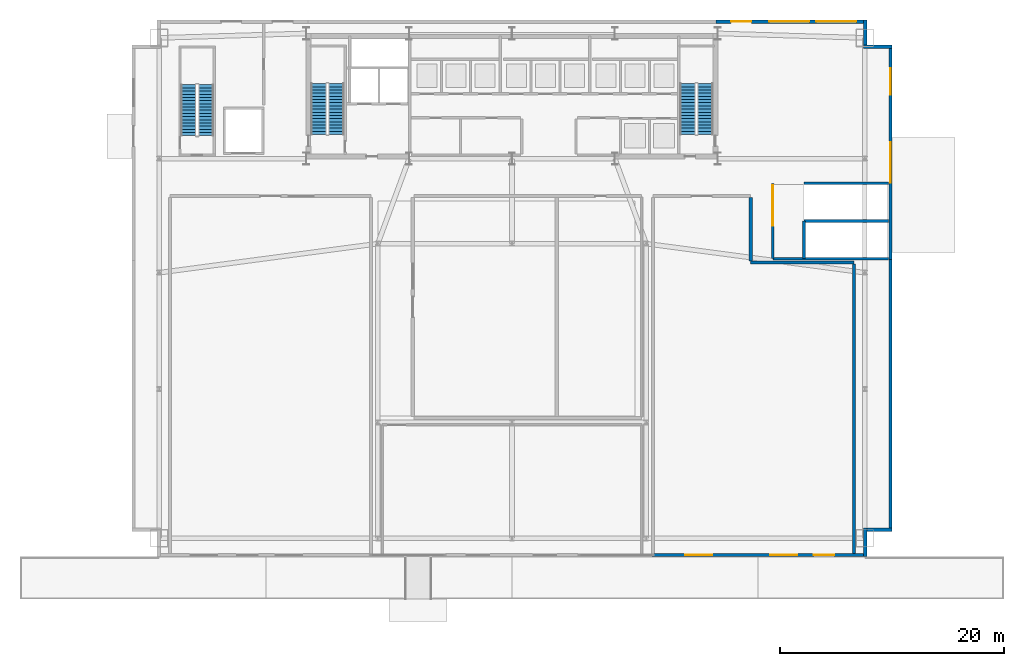
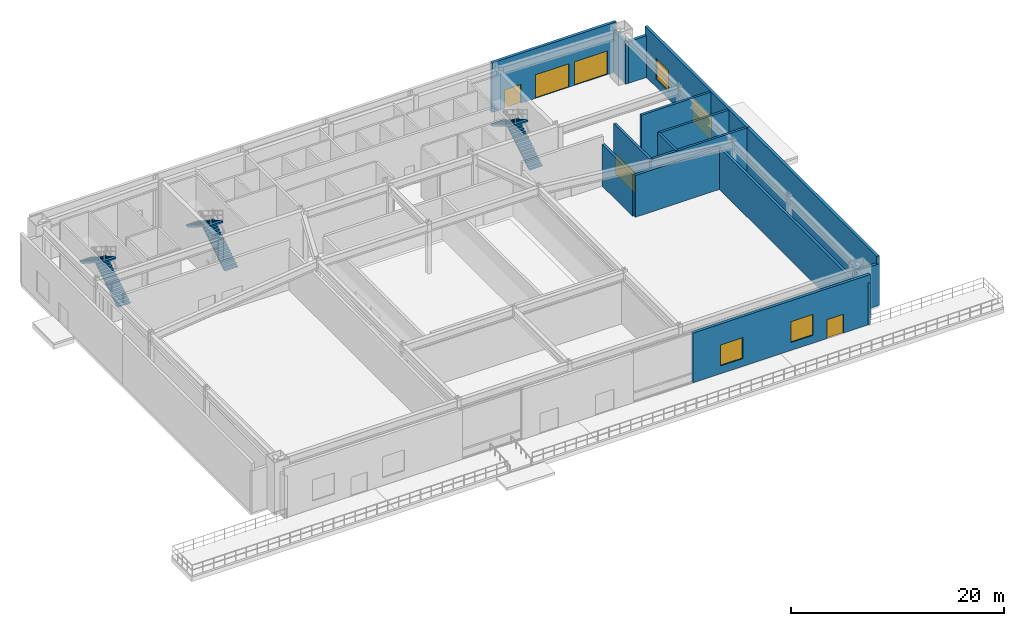
# One storey, part 12 of 17: 16 walls, 6 doors, 6 stair flights, 3 windows, 9 openings, 3 elements without a shape of their own.
"""IFC4 building model written with IfcOpenShell, lengths in metres."""

from ifc_helpers import new_model, si_unit, direction, frame, frame_2d, origin, place, context, subcontext, project, spatial, polyline, rectangle, outline, extrude, source, transform, mapped, material, layer, layer_set, type_object, type_shapes, element, fill, aggregate, save


model = new_model("IFC4")

# Units and contexts
model_context = context("Model", 3, precision=1e-05, world=origin(), true_north=direction((0.0, 1.0)))
body_context = subcontext(model_context, "Body", "Model", "MODEL_VIEW")
ifc_project = project(units=[si_unit("LENGTHUNIT", "METRE"), si_unit("AREAUNIT", "SQUARE_METRE"), si_unit("VOLUMEUNIT", "CUBIC_METRE"), si_unit("PLANEANGLEUNIT", "RADIAN"), si_unit("MASSUNIT", "GRAM", prefix="KILO")], contexts=[model_context])

# Site, building, storey
site_placement = place(None, origin())
site = spatial("IfcSite", under=ifc_project, at=site_placement, CompositionType="ELEMENT")
building_placement = place(site_placement, origin())
building = spatial("IfcBuilding", under=site, at=building_placement, Name="Varnel Quay Broadcast Tower", CompositionType="ELEMENT")
storey_placement = place(building_placement, origin())
storey = spatial("IfcBuildingStorey", under=building, at=storey_placement, Name="L00", CompositionType="ELEMENT", Elevation=0.0)

# Wall
ifc_material_1 = material(Name="Concrete CSA A23.3 C50/60", Category="concrete")
ifc_layer_1 = layer(ifc_material_1, 0.25, Name="Concrete CSA A23.3 C50/60")
ifc_layer_set_1 = layer_set([ifc_layer_1], Name="Concrete CSA A23.3 C50/60")
wall_type_1 = type_object("IfcWallType", Name="Wall_CoreShaftShear250", PredefinedType="SHEAR", material=ifc_layer_set_1)
wall_1_placement = place(storey_placement, frame((57.320068359375, 26.64990234375, 0.0), z_axis=(0.0, 0.0, 1.0), x_axis=(1.0, 0.0, 0.0)))
element("IfcWall", 1, at=wall_1_placement, inside=storey, type_object=wall_type_1, Name="L00 Vehicle Ramp Portal Enclosure Wall S", PredefinedType="SHEAR", context=body_context, shape_type="SweptSolid", body=[
    extrude(rectangle(XDim=10.329833984375, YDim=0.25, at=frame_2d((5.1650390625, 0.0))), origin(), (0.0, 0.0, 1.0), 5.719970703125),
])

# Wall, opening, door
wall_2_placement = place(storey_placement, frame((57.320068359375, 26.64990234375, 0.0), z_axis=(0.0, 0.0, 1.0), x_axis=(0.0, 1.0, 0.0)))
wall_2 = element("IfcWall", 2, at=wall_2_placement, inside=storey, type_object=wall_type_1, Name="L00 Vehicle Ramp Portal Enclosure Wall W", PredefinedType="SHEAR", context=body_context, shape_type="SweptSolid", body=[
    extrude(rectangle(XDim=6.75, YDim=0.25, at=frame_2d((3.375, 0.0))), origin(), (0.0, 0.0, 1.0), 5.719970703125),
])
opening_1_placement = place(wall_2_placement, frame((2.949951171875, 0.0, 0.0)))
opening_1 = element("IfcOpeningElement", 3, at=opening_1_placement, cuts=wall_2, Name="Opening GT-L00RW", PredefinedType="OPENING", context=body_context, shape_type="SweptSolid", body=[
    extrude(rectangle(XDim=3.60009765625, YDim=2.35009765625, at=frame_2d((1.800048828125, 1.175048828125))), frame((0.0, 0.135009765625, 0.0), z_axis=(0.0, -1.0, 0.0), x_axis=(1.0, 0.0, 0.0)), (0.0, 0.0, 1.0), 0.27001953125),
])
ifc_material_2 = material(Name="Galvanised Steel Parking Shutter Assembly", Category="steel")
door_type_1 = type_object("IfcDoorType", Name="Gate_BasementRamp3600", OperationType="ROLLINGUP", PredefinedType="GATE", material=ifc_material_2)
shared_shape_1 = source(origin(), body_context, "Body", "SweptSolid", [
    extrude(rectangle(XDim=3.60009765625, YDim=2.35009765625, at=frame_2d((1.800048828125, 1.175048828125))), frame((0.0, 0.02490234375, 0.0), z_axis=(0.0, -1.0, 0.0), x_axis=(1.0, 0.0, 0.0)), (0.0, 0.0, 1.0), 0.050048828125),
])
type_shapes(door_type_1, [shared_shape_1])
door_1_placement = place(opening_1_placement, frame((3.60009765625, 0.0, 0.0), z_axis=(0.0, 0.0, 1.0), x_axis=(-1.0, 0.0, 0.0)))
door_1 = element("IfcDoor", 4, at=door_1_placement, inside=storey, type_object=door_type_1, Name="L00 Vehicle Ramp Portal Shutter Gate", OperationType="ROLLINGUP", OverallHeight=2.35009765625, OverallWidth=3.60009765625, PredefinedType="GATE", context=body_context, shape_type="MappedRepresentation", body=[
    mapped(shared_shape_1, transform((0.0, 0.0, 0.0), x_axis=(1.0, 0.0, 0.0), y_axis=(0.0, 1.0, 0.0), z_axis=(0.0, 0.0, 1.0), scale=1.0)),
])
fill(opening_1, door_1)

# Walls
wall_3_placement = place(storey_placement, frame((60.1201171875, 33.39990234375, 0.0), z_axis=(0.0, 0.0, 1.0), x_axis=(1.0, 0.0, 0.0)))
element("IfcWall", 5, at=wall_3_placement, inside=storey, type_object=wall_type_1, Name="L00 Vehicle Ramp Portal Enclosure Wall NE", PredefinedType="SHEAR", context=body_context, shape_type="SweptSolid", body=[
    extrude(rectangle(XDim=7.52978515625, YDim=0.25, at=frame_2d((3.764892578125, 0.0))), origin(), (0.0, 0.0, 1.0), 5.719970703125),
])
wall_4_placement = place(storey_placement, frame((60.1201171875, 26.64990234375, 0.0), z_axis=(0.0, 0.0, 1.0), x_axis=(0.0, 1.0, 0.0)))
element("IfcWall", 6, at=wall_4_placement, inside=storey, type_object=wall_type_1, Name="L00 Vehicle Ramp Portal Enclosure Wall SW", PredefinedType="SHEAR", context=body_context, shape_type="SweptSolid", body=[
    extrude(rectangle(XDim=3.3701171875, YDim=0.25, at=frame_2d((1.68505859375, 0.0))), origin(), (0.0, 0.0, 1.0), 5.719970703125),
])
wall_5_placement = place(storey_placement, frame((60.1201171875, 30.02001953125, 0.0), z_axis=(0.0, 0.0, 1.0), x_axis=(1.0, 0.0, 0.0)))
element("IfcWall", 7, at=wall_5_placement, inside=storey, type_object=wall_type_1, Name="L00 Vehicle Ramp Portal Enclosure Wall DIV", PredefinedType="SHEAR", context=body_context, shape_type="SweptSolid", body=[
    extrude(rectangle(XDim=7.52978515625, YDim=0.25, at=frame_2d((3.764892578125, 0.0))), origin(), (0.0, 0.0, 1.0), 5.719970703125),
])

# Wall, openings, doors
ifc_material_3 = material(Name="Precast Architectural Concrete C40/50", Category="concrete")
ifc_layer_2 = layer(ifc_material_3, 0.300048828125, Name="Precast Architectural Concrete C40/50")
ifc_layer_set_2 = layer_set([ifc_layer_2], Name="Precast Architectural Concrete C40/50")
wall_type_2 = type_object("IfcWallType", Name="Wall_ExtPodium300", PredefinedType="SOLIDWALL", material=ifc_layer_set_2)
wall_6_placement = place(storey_placement, frame((52.25, 47.85009765625, 0.0), z_axis=(0.0, 0.0, 1.0), x_axis=(1.0, 0.0, 0.0)))
wall_6 = element("IfcWall", 8, at=wall_6_placement, inside=storey, type_object=wall_type_2, Name="L00 North-East Exit & Loading Dock Wall", PredefinedType="SOLIDWALL", context=body_context, shape_type="SweptSolid", body=[
    extrude(rectangle(XDim=13.5, YDim=0.300048828125, at=frame_2d((6.75, 0.0))), origin(), (0.0, 0.0, 1.0), 5.699951171875),
])
opening_2_placement = place(wall_6_placement, frame((1.35009765625, 0.0, 0.0)))
opening_2 = element("IfcOpeningElement", 9, at=opening_2_placement, cuts=wall_6, Name="Opening ED-05", PredefinedType="OPENING", context=body_context, shape_type="SweptSolid", body=[
    extrude(rectangle(XDim=1.800048828125, YDim=2.14990234375, at=frame_2d((0.89990234375, 1.074951171875))), frame((0.0, 0.16015625, 0.0), z_axis=(0.0, -1.0, 0.0), x_axis=(1.0, 0.0, 0.0)), (0.0, 0.0, 1.0), 0.320068359375),
])
opening_3_placement = place(wall_6_placement, frame((4.75, 0.0, 0.0)))
opening_3 = element("IfcOpeningElement", 10, at=opening_3_placement, cuts=wall_6, Name="Opening GT-L00A", PredefinedType="OPENING", context=body_context, shape_type="SweptSolid", body=[
    extrude(rectangle(XDim=3.60009765625, YDim=2.699951171875, at=frame_2d((1.800048828125, 1.35009765625))), frame((0.0, 0.16015625, 0.0), z_axis=(0.0, -1.0, 0.0), x_axis=(1.0, 0.0, 0.0)), (0.0, 0.0, 1.0), 0.320068359375),
])
opening_4_placement = place(wall_6_placement, frame((8.949951171875, 0.0, 0.0)))
opening_4 = element("IfcOpeningElement", 11, at=opening_4_placement, cuts=wall_6, Name="Opening GT-L00B", PredefinedType="OPENING", context=body_context, shape_type="SweptSolid", body=[
    extrude(rectangle(XDim=3.60009765625, YDim=2.699951171875, at=frame_2d((1.800048828125, 1.35009765625))), frame((0.0, 0.16015625, 0.0), z_axis=(0.0, -1.0, 0.0), x_axis=(1.0, 0.0, 0.0)), (0.0, 0.0, 1.0), 0.320068359375),
])
ifc_material_4 = material(Name="Anodised Bronze Aluminium 6063-T6", Category="aluminium")
door_type_2 = type_object("IfcDoorType", Name="Door_ExtExit1800", OperationType="DOUBLE_DOOR_SINGLE_SWING", PredefinedType="DOOR", material=ifc_material_4)
shared_shape_2 = source(origin(), body_context, "Body", "SweptSolid", [
    extrude(rectangle(XDim=1.800048828125, YDim=2.14990234375, at=frame_2d((0.89990234375, 1.074951171875))), frame((0.0, 0.02490234375, 0.0), z_axis=(0.0, -1.0, 0.0), x_axis=(1.0, 0.0, 0.0)), (0.0, 0.0, 1.0), 0.050048828125),
])
type_shapes(door_type_2, [shared_shape_2])
door_2_placement = place(opening_2_placement, origin())
door_2 = element("IfcDoor", 12, at=door_2_placement, inside=storey, type_object=door_type_2, Name="L00 North-East Exit Discharge ED-05", OperationType="DOUBLE_DOOR_SINGLE_SWING", OverallHeight=2.14990234375, OverallWidth=1.800048828125, PredefinedType="DOOR", context=body_context, shape_type="MappedRepresentation", body=[
    mapped(shared_shape_2, transform((0.0, 0.0, 0.0), x_axis=(1.0, 0.0, 0.0), y_axis=(0.0, 1.0, 0.0), z_axis=(0.0, 0.0, 1.0), scale=1.0)),
])
fill(opening_2, door_2)
ifc_material_5 = material(Name="Galvanised Steel Roller Shutter Assembly", Category="steel")
door_type_3 = type_object("IfcDoorType", Name="Gate_RollerShutter3600", OperationType="ROLLINGUP", PredefinedType="GATE", material=ifc_material_5)
shared_shape_3 = source(origin(), body_context, "Body", "SweptSolid", [
    extrude(rectangle(XDim=3.60009765625, YDim=2.699951171875, at=frame_2d((1.800048828125, 1.35009765625))), frame((0.0, 0.02490234375, 0.0), z_axis=(0.0, -1.0, 0.0), x_axis=(1.0, 0.0, 0.0)), (0.0, 0.0, 1.0), 0.050048828125),
])
type_shapes(door_type_3, [shared_shape_3])
door_3_placement = place(opening_3_placement, origin())
door_3 = element("IfcDoor", 13, at=door_3_placement, inside=storey, type_object=door_type_3, Name="L00 OB-Van Loading Dock Gate A", OperationType="ROLLINGUP", OverallHeight=2.699951171875, OverallWidth=3.60009765625, PredefinedType="GATE", context=body_context, shape_type="MappedRepresentation", body=[
    mapped(shared_shape_3, transform((0.0, 0.0, 0.0), x_axis=(1.0, 0.0, 0.0), y_axis=(0.0, 1.0, 0.0), z_axis=(0.0, 0.0, 1.0), scale=1.0)),
])
fill(opening_3, door_3)
door_4_placement = place(opening_4_placement, origin())
door_4 = element("IfcDoor", 14, at=door_4_placement, inside=storey, type_object=door_type_3, Name="L00 OB-Van Loading Dock Gate B", OperationType="ROLLINGUP", OverallHeight=2.699951171875, OverallWidth=3.60009765625, PredefinedType="GATE", context=body_context, shape_type="MappedRepresentation", body=[
    mapped(shared_shape_3, transform((0.0, 0.0, 0.0), x_axis=(1.0, 0.0, 0.0), y_axis=(0.0, 1.0, 0.0), z_axis=(0.0, 0.0, 1.0), scale=1.0)),
])
fill(opening_4, door_4)

# Wall, openings, door, windows
wall_7_placement = place(storey_placement, frame((46.5, 0.14990234375, 0.0), z_axis=(0.0, 0.0, 1.0), x_axis=(1.0, 0.0, 0.0)))
wall_7 = element("IfcWall", 15, at=wall_7_placement, inside=storey, type_object=wall_type_2, Name="L00 Podium Acoustic Exterior Wall SE", PredefinedType="SOLIDWALL", context=body_context, shape_type="SweptSolid", body=[
    extrude(rectangle(XDim=19.25, YDim=0.300048828125, at=frame_2d((9.625, 0.0))), origin(), (0.0, 0.0, 1.0), 5.699951171875),
])
opening_5_placement = place(wall_7_placement, frame((14.5, 0.0, 0.0)))
opening_5 = element("IfcOpeningElement", 16, at=opening_5_placement, cuts=wall_7, Name="Opening ED-07", PredefinedType="OPENING", context=body_context, shape_type="SweptSolid", body=[
    extrude(rectangle(XDim=1.800048828125, YDim=2.14990234375, at=frame_2d((0.89990234375, 1.074951171875))), frame((0.0, 0.16015625, 0.0), z_axis=(0.0, -1.0, 0.0), x_axis=(1.0, 0.0, 0.0)), (0.0, 0.0, 1.0), 0.320068359375),
])
opening_6_placement = place(wall_7_placement, frame((3.0, 0.0, 0.89990234375)))
opening_6 = element("IfcOpeningElement", 17, at=opening_6_placement, cuts=wall_7, Name="Opening W-01", PredefinedType="OPENING", context=body_context, shape_type="SweptSolid", body=[
    extrude(rectangle(XDim=2.39990234375, YDim=2.39990234375, at=frame_2d((1.199951171875, 1.199951171875))), frame((0.0, 0.16015625, 0.0), z_axis=(0.0, -1.0, 0.0), x_axis=(1.0, 0.0, 0.0)), (0.0, 0.0, 1.0), 0.320068359375),
])
opening_7_placement = place(wall_7_placement, frame((10.60009765625, 0.0, 0.89990234375)))
opening_7 = element("IfcOpeningElement", 18, at=opening_7_placement, cuts=wall_7, Name="Opening W-01", PredefinedType="OPENING", context=body_context, shape_type="SweptSolid", body=[
    extrude(rectangle(XDim=2.39990234375, YDim=2.39990234375, at=frame_2d((1.199951171875, 1.199951171875))), frame((0.0, 0.16015625, 0.0), z_axis=(0.0, -1.0, 0.0), x_axis=(1.0, 0.0, 0.0)), (0.0, 0.0, 1.0), 0.320068359375),
])
door_5_placement = place(opening_5_placement, frame((1.800048828125, 0.0, 0.0), z_axis=(0.0, 0.0, 1.0), x_axis=(-1.0, 0.0, 0.0)))
door_5 = element("IfcDoor", 19, at=door_5_placement, inside=storey, type_object=door_type_2, Name="L00 Studio B Promenade Entrance/Exit Door ED-07", OperationType="DOUBLE_DOOR_SINGLE_SWING", OverallHeight=2.14990234375, OverallWidth=1.800048828125, PredefinedType="DOOR", context=body_context, shape_type="MappedRepresentation", body=[
    mapped(shared_shape_2, transform((0.0, 0.0, 0.0), x_axis=(1.0, 0.0, 0.0), y_axis=(0.0, 1.0, 0.0), z_axis=(0.0, 0.0, 1.0), scale=1.0)),
])
fill(opening_5, door_5)
ifc_material_6 = material(Name="Triple-Glazed Bronze Low-E Architectural Glass", Category="glass")
window_type = type_object("IfcWindowType", Name="Win_PodiumAcoustic2400", PartitioningType="DOUBLE_PANEL_VERTICAL", PredefinedType="WINDOW", material=ifc_material_6)
shared_shape_4 = source(origin(), body_context, "Body", "SweptSolid", [
    extrude(rectangle(XDim=2.39990234375, YDim=2.39990234375, at=frame_2d((1.199951171875, 1.199951171875))), frame((0.0, 0.030029296875, 0.0), z_axis=(0.0, -1.0, 0.0), x_axis=(1.0, 0.0, 0.0)), (0.0, 0.0, 1.0), 0.06005859375),
])
type_shapes(window_type, [shared_shape_4])
window_1_placement = place(opening_6_placement, origin())
window_1 = element("IfcWindow", 20, at=window_1_placement, inside=storey, type_object=window_type, Name="L00 Podium Window SE-1", OverallHeight=2.39990234375, OverallWidth=2.39990234375, PartitioningType="DOUBLE_PANEL_VERTICAL", PredefinedType="WINDOW", context=body_context, shape_type="MappedRepresentation", body=[
    mapped(shared_shape_4, transform((0.0, 0.0, 0.0), x_axis=(1.0, 0.0, 0.0), y_axis=(0.0, 1.0, 0.0), z_axis=(0.0, 0.0, 1.0), scale=1.0)),
])
fill(opening_6, window_1)
window_2_placement = place(opening_7_placement, origin())
window_2 = element("IfcWindow", 21, at=window_2_placement, inside=storey, type_object=window_type, Name="L00 Podium Window SE-2", OverallHeight=2.39990234375, OverallWidth=2.39990234375, PartitioningType="DOUBLE_PANEL_VERTICAL", PredefinedType="WINDOW", context=body_context, shape_type="MappedRepresentation", body=[
    mapped(shared_shape_4, transform((0.0, 0.0, 0.0), x_axis=(1.0, 0.0, 0.0), y_axis=(0.0, 1.0, 0.0), z_axis=(0.0, 0.0, 1.0), scale=1.0)),
])
fill(opening_7, window_2)

# Wall
wall_8_placement = place(storey_placement, frame((67.85009765625, 2.25, 0.0), z_axis=(0.0, 0.0, 1.0), x_axis=(0.0, 1.0, 0.0)))
element("IfcWall", 22, at=wall_8_placement, inside=storey, type_object=wall_type_2, Name="L00 Podium Acoustic Exterior Wall E1", PredefinedType="SOLIDWALL", context=body_context, shape_type="SweptSolid", body=[
    extrude(rectangle(XDim=24.35009765625, YDim=0.300048828125, at=frame_2d((12.175048828125, 0.0))), origin(), (0.0, 0.0, 1.0), 5.699951171875),
])

# Wall, openings, door, window
wall_9_placement = place(storey_placement, frame((67.85009765625, 26.5, 0.0), z_axis=(0.0, 0.0, 1.0), x_axis=(0.0, 1.0, 0.0)))
wall_9 = element("IfcWall", 23, at=wall_9_placement, inside=storey, type_object=wall_type_2, Name="L00 Podium Acoustic Exterior Wall E2", PredefinedType="SOLIDWALL", context=body_context, shape_type="SweptSolid", body=[
    extrude(rectangle(XDim=19.25, YDim=0.300048828125, at=frame_2d((9.625, 0.0))), origin(), (0.0, 0.0, 1.0), 5.699951171875),
])
opening_8_placement = place(wall_9_placement, frame((6.949951171875, 0.0, 0.0)))
opening_8 = element("IfcOpeningElement", 24, at=opening_8_placement, cuts=wall_9, Name="Opening GT-L00R", PredefinedType="OPENING", context=body_context, shape_type="SweptSolid", body=[
    extrude(rectangle(XDim=3.60009765625, YDim=2.699951171875, at=frame_2d((1.800048828125, 1.35009765625))), frame((0.0, 0.16015625, 0.0), z_axis=(0.0, -1.0, 0.0), x_axis=(1.0, 0.0, 0.0)), (0.0, 0.0, 1.0), 0.320068359375),
])
opening_9_placement = place(wall_9_placement, frame((14.800048828125, 0.0, 0.89990234375)))
opening_9 = element("IfcOpeningElement", 25, at=opening_9_placement, cuts=wall_9, Name="Opening W-01", PredefinedType="OPENING", context=body_context, shape_type="SweptSolid", body=[
    extrude(rectangle(XDim=2.39990234375, YDim=2.39990234375, at=frame_2d((1.199951171875, 1.199951171875))), frame((0.0, 0.16015625, 0.0), z_axis=(0.0, -1.0, 0.0), x_axis=(1.0, 0.0, 0.0)), (0.0, 0.0, 1.0), 0.320068359375),
])
door_6_placement = place(opening_8_placement, origin())
door_6 = element("IfcDoor", 26, at=door_6_placement, inside=storey, type_object=door_type_3, Name="L00 East Basement Vehicle Ramp Roller Shutter Gate", OperationType="ROLLINGUP", OverallHeight=2.699951171875, OverallWidth=3.60009765625, PredefinedType="GATE", context=body_context, shape_type="MappedRepresentation", body=[
    mapped(shared_shape_3, transform((0.0, 0.0, 0.0), x_axis=(1.0, 0.0, 0.0), y_axis=(0.0, 1.0, 0.0), z_axis=(0.0, 0.0, 1.0), scale=1.0)),
])
fill(opening_8, door_6)
window_3_placement = place(opening_9_placement, origin())
window_3 = element("IfcWindow", 27, at=window_3_placement, inside=storey, type_object=window_type, Name="L00 Podium Window E2-1", OverallHeight=2.39990234375, OverallWidth=2.39990234375, PartitioningType="DOUBLE_PANEL_VERTICAL", PredefinedType="WINDOW", context=body_context, shape_type="MappedRepresentation", body=[
    mapped(shared_shape_4, transform((0.0, 0.0, 0.0), x_axis=(1.0, 0.0, 0.0), y_axis=(0.0, 1.0, 0.0), z_axis=(0.0, 0.0, 1.0), scale=1.0)),
])
fill(opening_9, window_3)

# Walls
for number, where, z_axis, x_axis, name in (
    (28, (65.60009765625, 0.0, 0.0), (0.0, 0.0, 1.0), (0.0, 1.0, 0.0), "L00 Podium Acoustic Exterior Wall NSE1"),
    (29, (65.449951171875, 2.39990234375, 0.0), (0.0, 0.0, 1.0), (1.0, 0.0, 0.0), "L00 Podium Acoustic Exterior Wall NSE2"),
    (30, (65.449951171875, 45.60009765625, 0.0), (0.0, 0.0, 1.0), (1.0, 0.0, 0.0), "L00 Podium Acoustic Exterior Wall NNE1"),
    (31, (65.60009765625, 45.449951171875, 0.0), (0.0, 0.0, 1.0), (0.0, 1.0, 0.0), "L00 Podium Acoustic Exterior Wall NNE2"),
):
    element("IfcWall", number, at=place(storey_placement, frame(where, z_axis=z_axis, x_axis=x_axis)), inside=storey, type_object=wall_type_2, Name=name, PredefinedType="SOLIDWALL", context=body_context, shape_type="SweptSolid", body=[
        extrude(rectangle(XDim=2.550048828125, YDim=0.300048828125, at=frame_2d((1.27490234375, 0.0))), origin(), (0.0, 0.0, 1.0), 4.782958984375),
    ])
ifc_material_7 = material(Name="Double-Leaf Isolated Acoustic Studio Wall Concrete C40/50", Category="concrete")
ifc_layer_3 = layer(ifc_material_7, 0.280029296875, Name="Double-Leaf Isolated Acoustic Studio Wall Concrete C40/50")
ifc_layer_set_3 = layer_set([ifc_layer_3], Name="Double-Leaf Isolated Acoustic Studio Wall Concrete C40/50")
wall_type_3 = type_object("IfcWallType", Name="Wall_StudioAcoustic280", PredefinedType="SOLIDWALL", material=ifc_layer_set_3)
wall_10_placement = place(storey_placement, frame((64.60009765625, 0.31005859375, 0.0), z_axis=(0.0, 0.0, 1.0), x_axis=(0.0, 1.0, 0.0)))
element("IfcWall", 32, at=wall_10_placement, inside=storey, type_object=wall_type_3, Name="L00 Television Production Studio B Stage Partition 15", PredefinedType="SOLIDWALL", context=body_context, shape_type="SweptSolid", body=[
    extrude(rectangle(XDim=25.849853515625, YDim=0.280029296875, at=frame_2d((12.9248046875, 0.0))), origin(), (0.0, 0.0, 1.0), 4.782958984375),
])
wall_11_placement = place(storey_placement, frame((55.35009765625, 26.300048828125, 0.0), z_axis=(0.0, 0.0, 1.0), x_axis=(1.0, 0.0, 0.0)))
element("IfcWall", 33, at=wall_11_placement, inside=storey, type_object=wall_type_3, Name="L00 Television Production Studio B Stage Partition 16", PredefinedType="SOLIDWALL", context=body_context, shape_type="SweptSolid", body=[
    extrude(rectangle(XDim=9.25, YDim=0.280029296875, at=frame_2d((4.625, 0.0))), origin(), (0.0, 0.0, 1.0), 4.782958984375),
])
wall_12_placement = place(storey_placement, frame((55.35009765625, 26.43994140625, 0.0), z_axis=(0.0, 0.0, 1.0), x_axis=(0.0, 1.0, 0.0)))
element("IfcWall", 34, at=wall_12_placement, inside=storey, type_object=wall_type_3, Name="L00 Television Production Studio B Stage Partition 17", PredefinedType="SOLIDWALL", context=body_context, shape_type="SweptSolid", body=[
    extrude(rectangle(XDim=5.695068359375, YDim=0.280029296875, at=frame_2d((2.84765625, 0.0))), origin(), (0.0, 0.0, 1.0), 4.782958984375),
])

# Stair, stair flights
ifc_material_8 = material(Name="Precast Structural Concrete C40/50", Category="concrete")
stair_type_1 = type_object("IfcStairType", Name="Stair_ST-01", PredefinedType="HALF_TURN_STAIR", material=ifc_material_8)
stair_1_placement = place(storey_placement, origin())
stair_1 = element("IfcStair", 35, at=stair_1_placement, inside=storey, type_object=stair_type_1, Name="L00 West Core Exit Stair 1", PredefinedType="HALF_TURN_STAIR")
stair_flight_type_1 = type_object("IfcStairFlightType", Name="Flight_ST-01", PredefinedType="STRAIGHT", material=ifc_material_8)
stair_flight_1_placement = place(storey_placement, frame((18.300048828125, 37.75, 0.0), z_axis=(0.0, 0.0, 1.0), x_axis=(0.0, 1.0, 0.0)))
stair_flight_1 = element("IfcStairFlight", 36, at=stair_flight_1_placement, type_object=stair_flight_type_1, Name="ST-01 flight 1", NumberOfRisers=17, NumberOfTreads=16, PredefinedType="STRAIGHT", RiserHeight=0.176470588, TreadLength=0.285, context=body_context, shape_type="SweptSolid", body=[
    extrude(outline(polyline([(0.0, 0.0), (0.0, 0.176513671875), (0.284912109375, 0.176513671875), (0.284912109375, 0.35302734375), (0.570068359375, 0.35302734375), (0.570068359375, 0.529296875), (0.85498046875, 0.529296875), (0.85498046875, 0.705810546875), (1.139892578125, 0.705810546875), (1.139892578125, 0.88232421875), (1.425048828125, 0.88232421875), (1.425048828125, 1.058837890625), (1.7099609375, 1.058837890625), (1.7099609375, 1.2353515625), (1.9951171875, 1.2353515625), (1.9951171875, 1.411865234375), (2.280029296875, 1.411865234375), (2.280029296875, 1.588134765625), (2.56494140625, 1.588134765625), (2.56494140625, 1.7646484375), (2.85009765625, 1.7646484375), (2.85009765625, 1.941162109375), (3.135009765625, 1.941162109375), (3.135009765625, 2.11767578125), (3.419921875, 2.11767578125), (3.419921875, 2.294189453125), (3.705078125, 2.294189453125), (3.705078125, 2.470703125), (3.989990234375, 2.470703125), (3.989990234375, 2.64697265625), (4.27490234375, 2.64697265625), (4.27490234375, 2.823486328125), (4.56005859375, 2.823486328125), (4.56005859375, 3.0), (4.56005859375, 2.647216796875), (0.28466796875, 0.0), (0.0, 0.0)])), frame((0.0, 0.699951171875, 0.0), z_axis=(0.0, -1.0, 0.0), x_axis=(1.0, 0.0, 0.0)), (0.0, 0.0, 1.0), 1.39990234375),
])
stair_flight_2_placement = place(storey_placement, frame((16.699951171875, 42.31005859375, 3.0), z_axis=(0.0, 0.0, 1.0), x_axis=(0.0, -1.0, 0.0)))
stair_flight_2 = element("IfcStairFlight", 37, at=stair_flight_2_placement, type_object=stair_flight_type_1, Name="ST-01 flight 2", NumberOfRisers=17, NumberOfTreads=16, PredefinedType="STRAIGHT", RiserHeight=0.176470588, TreadLength=0.285, context=body_context, shape_type="SweptSolid", body=[
    extrude(outline(polyline([(0.0, 0.0), (0.0, 0.176513671875), (0.284912109375, 0.176513671875), (0.284912109375, 0.35302734375), (0.570068359375, 0.35302734375), (0.570068359375, 0.529296875), (0.85498046875, 0.529296875), (0.85498046875, 0.705810546875), (1.139892578125, 0.705810546875), (1.139892578125, 0.88232421875), (1.425048828125, 0.88232421875), (1.425048828125, 1.058837890625), (1.7099609375, 1.058837890625), (1.7099609375, 1.2353515625), (1.9951171875, 1.2353515625), (1.9951171875, 1.411865234375), (2.280029296875, 1.411865234375), (2.280029296875, 1.588134765625), (2.56494140625, 1.588134765625), (2.56494140625, 1.7646484375), (2.85009765625, 1.7646484375), (2.85009765625, 1.941162109375), (3.135009765625, 1.941162109375), (3.135009765625, 2.11767578125), (3.419921875, 2.11767578125), (3.419921875, 2.294189453125), (3.705078125, 2.294189453125), (3.705078125, 2.470703125), (3.989990234375, 2.470703125), (3.989990234375, 2.64697265625), (4.27490234375, 2.64697265625), (4.27490234375, 2.823486328125), (4.56005859375, 2.823486328125), (4.56005859375, 3.0), (4.56005859375, 2.647216796875), (0.28466796875, 0.0), (0.0, 0.0)])), frame((0.0, 0.699951171875, 0.0), z_axis=(0.0, -1.0, 0.0), x_axis=(1.0, 0.0, 0.0)), (0.0, 0.0, 1.0), 1.39990234375),
])
aggregate(stair_1, [stair_flight_1, stair_flight_2])

stair_type_2 = type_object("IfcStairType", Name="Stair_ST-02", PredefinedType="HALF_TURN_STAIR", material=ifc_material_8)
stair_2_placement = place(storey_placement, origin())
stair_2 = element("IfcStair", 38, at=stair_2_placement, inside=storey, type_object=stair_type_2, Name="L00 East Core Exit Stair 2", PredefinedType="HALF_TURN_STAIR")
stair_flight_type_2 = type_object("IfcStairFlightType", Name="Flight_ST-02", PredefinedType="STRAIGHT", material=ifc_material_8)
stair_flight_3_placement = place(storey_placement, frame((51.300048828125, 37.75, 0.0), z_axis=(0.0, 0.0, 1.0), x_axis=(0.0, 1.0, 0.0)))
stair_flight_3 = element("IfcStairFlight", 39, at=stair_flight_3_placement, type_object=stair_flight_type_2, Name="ST-02 flight 1", NumberOfRisers=17, NumberOfTreads=16, PredefinedType="STRAIGHT", RiserHeight=0.176470588, TreadLength=0.285, context=body_context, shape_type="SweptSolid", body=[
    extrude(outline(polyline([(0.0, 0.0), (0.0, 0.176513671875), (0.284912109375, 0.176513671875), (0.284912109375, 0.35302734375), (0.570068359375, 0.35302734375), (0.570068359375, 0.529296875), (0.85498046875, 0.529296875), (0.85498046875, 0.705810546875), (1.139892578125, 0.705810546875), (1.139892578125, 0.88232421875), (1.425048828125, 0.88232421875), (1.425048828125, 1.058837890625), (1.7099609375, 1.058837890625), (1.7099609375, 1.2353515625), (1.9951171875, 1.2353515625), (1.9951171875, 1.411865234375), (2.280029296875, 1.411865234375), (2.280029296875, 1.588134765625), (2.56494140625, 1.588134765625), (2.56494140625, 1.7646484375), (2.85009765625, 1.7646484375), (2.85009765625, 1.941162109375), (3.135009765625, 1.941162109375), (3.135009765625, 2.11767578125), (3.419921875, 2.11767578125), (3.419921875, 2.294189453125), (3.705078125, 2.294189453125), (3.705078125, 2.470703125), (3.989990234375, 2.470703125), (3.989990234375, 2.64697265625), (4.27490234375, 2.64697265625), (4.27490234375, 2.823486328125), (4.56005859375, 2.823486328125), (4.56005859375, 3.0), (4.56005859375, 2.647216796875), (0.28466796875, 0.0), (0.0, 0.0)])), frame((0.0, 0.699951171875, 0.0), z_axis=(0.0, -1.0, 0.0), x_axis=(1.0, 0.0, 0.0)), (0.0, 0.0, 1.0), 1.39990234375),
])
stair_flight_4_placement = place(storey_placement, frame((49.699951171875, 42.31005859375, 3.0), z_axis=(0.0, 0.0, 1.0), x_axis=(0.0, -1.0, 0.0)))
stair_flight_4 = element("IfcStairFlight", 40, at=stair_flight_4_placement, type_object=stair_flight_type_2, Name="ST-02 flight 2", NumberOfRisers=17, NumberOfTreads=16, PredefinedType="STRAIGHT", RiserHeight=0.176470588, TreadLength=0.285, context=body_context, shape_type="SweptSolid", body=[
    extrude(outline(polyline([(0.0, 0.0), (0.0, 0.176513671875), (0.284912109375, 0.176513671875), (0.284912109375, 0.35302734375), (0.570068359375, 0.35302734375), (0.570068359375, 0.529296875), (0.85498046875, 0.529296875), (0.85498046875, 0.705810546875), (1.139892578125, 0.705810546875), (1.139892578125, 0.88232421875), (1.425048828125, 0.88232421875), (1.425048828125, 1.058837890625), (1.7099609375, 1.058837890625), (1.7099609375, 1.2353515625), (1.9951171875, 1.2353515625), (1.9951171875, 1.411865234375), (2.280029296875, 1.411865234375), (2.280029296875, 1.588134765625), (2.56494140625, 1.588134765625), (2.56494140625, 1.7646484375), (2.85009765625, 1.7646484375), (2.85009765625, 1.941162109375), (3.135009765625, 1.941162109375), (3.135009765625, 2.11767578125), (3.419921875, 2.11767578125), (3.419921875, 2.294189453125), (3.705078125, 2.294189453125), (3.705078125, 2.470703125), (3.989990234375, 2.470703125), (3.989990234375, 2.64697265625), (4.27490234375, 2.64697265625), (4.27490234375, 2.823486328125), (4.56005859375, 2.823486328125), (4.56005859375, 3.0), (4.56005859375, 2.647216796875), (0.28466796875, 0.0), (0.0, 0.0)])), frame((0.0, 0.699951171875, 0.0), z_axis=(0.0, -1.0, 0.0), x_axis=(1.0, 0.0, 0.0)), (0.0, 0.0, 1.0), 1.39990234375),
])
aggregate(stair_2, [stair_flight_3, stair_flight_4])

stair_type_3 = type_object("IfcStairType", Name="Stair_ST-03", PredefinedType="HALF_TURN_STAIR", material=ifc_material_8)
stair_3_placement = place(storey_placement, origin())
stair_3 = element("IfcStair", 41, at=stair_3_placement, inside=storey, type_object=stair_type_3, Name="L00 Podium Studio Exit Stair 3", PredefinedType="HALF_TURN_STAIR")
stair_flight_type_3 = type_object("IfcStairFlightType", Name="Flight_ST-03", PredefinedType="STRAIGHT", material=ifc_material_8)
stair_flight_5_placement = place(storey_placement, frame((6.625, 37.64990234375, 0.0), z_axis=(0.0, 0.0, 1.0), x_axis=(0.0, 1.0, 0.0)))
stair_flight_5 = element("IfcStairFlight", 42, at=stair_flight_5_placement, type_object=stair_flight_type_3, Name="ST-03 flight 1", NumberOfRisers=17, NumberOfTreads=16, PredefinedType="STRAIGHT", RiserHeight=0.176470588, TreadLength=0.285, context=body_context, shape_type="SweptSolid", body=[
    extrude(outline(polyline([(0.0, 0.0), (0.0, 0.176513671875), (0.284912109375, 0.176513671875), (0.284912109375, 0.35302734375), (0.570068359375, 0.35302734375), (0.570068359375, 0.529296875), (0.85498046875, 0.529296875), (0.85498046875, 0.705810546875), (1.139892578125, 0.705810546875), (1.139892578125, 0.88232421875), (1.425048828125, 0.88232421875), (1.425048828125, 1.058837890625), (1.7099609375, 1.058837890625), (1.7099609375, 1.2353515625), (1.9951171875, 1.2353515625), (1.9951171875, 1.411865234375), (2.280029296875, 1.411865234375), (2.280029296875, 1.588134765625), (2.56494140625, 1.588134765625), (2.56494140625, 1.7646484375), (2.85009765625, 1.7646484375), (2.85009765625, 1.941162109375), (3.135009765625, 1.941162109375), (3.135009765625, 2.11767578125), (3.419921875, 2.11767578125), (3.419921875, 2.294189453125), (3.705078125, 2.294189453125), (3.705078125, 2.470703125), (3.989990234375, 2.470703125), (3.989990234375, 2.64697265625), (4.27490234375, 2.64697265625), (4.27490234375, 2.823486328125), (4.56005859375, 2.823486328125), (4.56005859375, 3.0), (4.56005859375, 2.647216796875), (0.28466796875, 0.0), (0.0, 0.0)])), frame((0.0, 0.675048828125, 0.0), z_axis=(0.0, -1.0, 0.0), x_axis=(1.0, 0.0, 0.0)), (0.0, 0.0, 1.0), 1.35009765625),
])
stair_flight_6_placement = place(storey_placement, frame((5.074951171875, 42.2099609375, 3.0), z_axis=(0.0, 0.0, 1.0), x_axis=(0.0, -1.0, 0.0)))
stair_flight_6 = element("IfcStairFlight", 43, at=stair_flight_6_placement, type_object=stair_flight_type_3, Name="ST-03 flight 2", NumberOfRisers=17, NumberOfTreads=16, PredefinedType="STRAIGHT", RiserHeight=0.176470588, TreadLength=0.285, context=body_context, shape_type="SweptSolid", body=[
    extrude(outline(polyline([(0.0, 0.0), (0.0, 0.176513671875), (0.284912109375, 0.176513671875), (0.284912109375, 0.35302734375), (0.570068359375, 0.35302734375), (0.570068359375, 0.529296875), (0.85498046875, 0.529296875), (0.85498046875, 0.705810546875), (1.139892578125, 0.705810546875), (1.139892578125, 0.88232421875), (1.425048828125, 0.88232421875), (1.425048828125, 1.058837890625), (1.7099609375, 1.058837890625), (1.7099609375, 1.2353515625), (1.9951171875, 1.2353515625), (1.9951171875, 1.411865234375), (2.280029296875, 1.411865234375), (2.280029296875, 1.588134765625), (2.56494140625, 1.588134765625), (2.56494140625, 1.7646484375), (2.85009765625, 1.7646484375), (2.85009765625, 1.941162109375), (3.135009765625, 1.941162109375), (3.135009765625, 2.11767578125), (3.419921875, 2.11767578125), (3.419921875, 2.294189453125), (3.705078125, 2.294189453125), (3.705078125, 2.470703125), (3.989990234375, 2.470703125), (3.989990234375, 2.64697265625), (4.27490234375, 2.64697265625), (4.27490234375, 2.823486328125), (4.56005859375, 2.823486328125), (4.56005859375, 3.0), (4.56005859375, 2.647216796875), (0.28466796875, 0.0), (0.0, 0.0)])), frame((0.0, 0.675048828125, 0.0), z_axis=(0.0, -1.0, 0.0), x_axis=(1.0, 0.0, 0.0)), (0.0, 0.0, 1.0), 1.35009765625),
])
aggregate(stair_3, [stair_flight_5, stair_flight_6])

save(model, "model.ifc")
